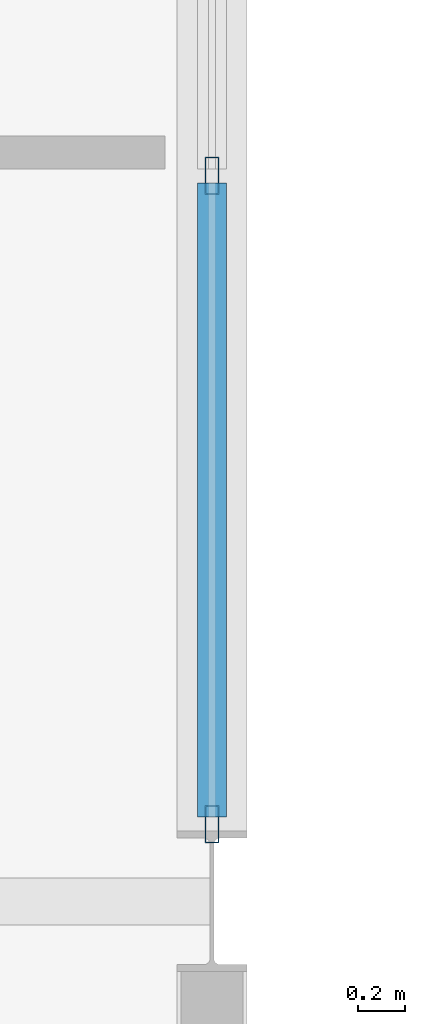
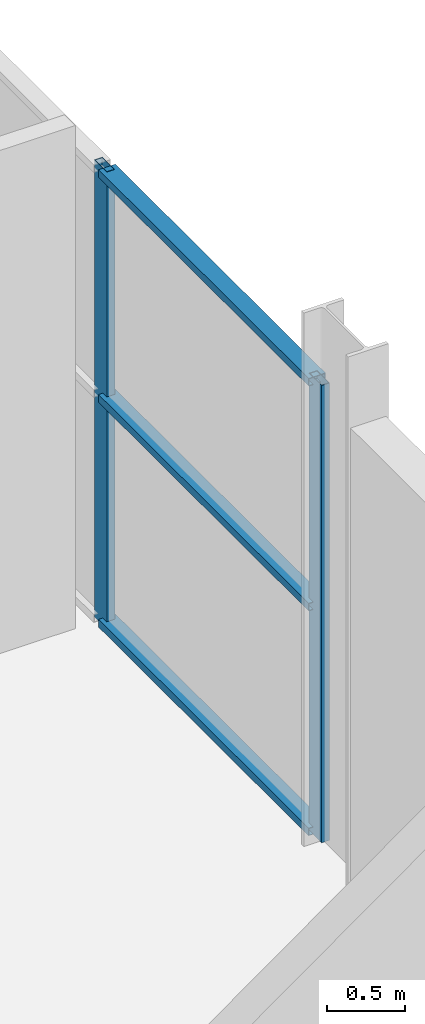
# One storey, part 38 of 59: 5 members, 1 element without a shape of its own.
"""IFC4 building model written with IfcOpenShell, lengths in metres."""

from ifc_helpers import new_model, si_unit, direction, frame, origin, origin_2d, place, context, subcontext, project, spatial, hollow_rectangle, extrude, material, layer, layer_set, material_profile, profile_set, type_object, element, aggregate, save


model = new_model("IFC4")

# Units and contexts
model_context = context("Model", 3, precision=1e-05, world=origin(), true_north=direction((0.0, 1.0)))
body_context = subcontext(model_context, "Body", "Model", "MODEL_VIEW")
ifc_project = project(units=[si_unit("LENGTHUNIT", "METRE"), si_unit("AREAUNIT", "SQUARE_METRE"), si_unit("VOLUMEUNIT", "CUBIC_METRE"), si_unit("PLANEANGLEUNIT", "RADIAN"), si_unit("MASSUNIT", "GRAM", prefix="KILO")], contexts=[model_context])

# Site, building, storey
site_placement = place(None, origin())
site = spatial("IfcSite", under=ifc_project, at=site_placement, CompositionType="ELEMENT")
building_placement = place(site_placement, origin())
building = spatial("IfcBuilding", under=site, at=building_placement, Name="Deido Ridge Mobility Hub", CompositionType="ELEMENT")
storey_placement = place(building_placement, frame((0.0, 0.0, 21.0)))
storey = spatial("IfcBuildingStorey", under=building, at=storey_placement, Name="L05", CompositionType="ELEMENT", Elevation=21.0)

# Curtain wall, members
ifc_material = material(Name="Anodised aluminium EN AW-6063 T6", Category="aluminium")
ifc_layer = layer(ifc_material, 0.195068359375, Name="Anodised aluminium EN AW-6063 T6")
ifc_layer_set = layer_set([ifc_layer], Name="Anodised aluminium EN AW-6063 T6")
curtain_wall_type = type_object("IfcCurtainWallType", Name="CW-UF-3", PredefinedType="USERDEFINED", material=ifc_layer_set)
curtain_wall_placement = place(storey_placement, origin())
curtain_wall = element("IfcCurtainWall", 1, at=curtain_wall_placement, inside=storey, type_object=curtain_wall_type, Name="Unitised curtain wall CW3", ObjectType="UNITISED FACADE", PredefinedType="USERDEFINED")
ifc_material_profile_1 = material_profile(ifc_material, hollow_rectangle(XDim=0.06005859375, YDim=0.159912109375, WallThickness=0.00390625, at=origin_2d()), Name="RHS 60x160x4")
ifc_profile_set_1 = profile_set([ifc_material_profile_1], Name="Anodised aluminium EN AW-6063 T6")
member_type_1 = type_object("IfcMemberType", Name="MEM-MUL-60X160", PredefinedType="MULLION", material=ifc_profile_set_1)
member_1_placement = place(storey_placement, frame((180.0, 27.330078125, 0.0), z_axis=(0.0, 0.0, 1.0), x_axis=(-1.0, 0.0, 0.0)))
member_1 = element("IfcMember", 2, at=member_1_placement, type_object=member_type_1, Name="CW3 mullion 1", PredefinedType="MULLION", context=body_context, shape_type="SweptSolid", body=[
    extrude(hollow_rectangle(XDim=0.06005859375, YDim=0.159912109375, WallThickness=0.00390625, at=origin_2d()), origin(), (0.0, 0.0, 1.0), 3.60009765625),
])
member_2_placement = place(storey_placement, frame((180.0, 30.10009765625, 0.0), z_axis=(0.0, 0.0, 1.0), x_axis=(-1.0, 0.0, 0.0)))
member_2 = element("IfcMember", 3, at=member_2_placement, type_object=member_type_1, Name="CW3 mullion 2", PredefinedType="MULLION", context=body_context, shape_type="SweptSolid", body=[
    extrude(hollow_rectangle(XDim=0.06005859375, YDim=0.159912109375, WallThickness=0.00390625, at=origin_2d()), origin(), (0.0, 0.0, 1.0), 3.60009765625),
])
ifc_material_profile_2 = material_profile(ifc_material, hollow_rectangle(XDim=0.125, YDim=0.06005859375, WallThickness=0.00390625, at=origin_2d()), Name="RHS 125x60x4")
ifc_profile_set_2 = profile_set([ifc_material_profile_2], Name="Anodised aluminium EN AW-6063 T6")
member_type_2 = type_object("IfcMemberType", Name="MEM-TRN-125X60", PredefinedType="USERDEFINED", material=ifc_profile_set_2)
member_3_placement = place(storey_placement, frame((180.0, 27.360107421875, 0.030029296875), z_axis=(0.0, 1.0, 0.0), x_axis=(-1.0, 0.0, 0.0)))
member_3 = element("IfcMember", 4, at=member_3_placement, type_object=member_type_2, Name="CW3 transom 1.1", ObjectType="TRANSOM", PredefinedType="USERDEFINED", context=body_context, shape_type="SweptSolid", body=[
    extrude(hollow_rectangle(XDim=0.125, YDim=0.06005859375, WallThickness=0.00390625, at=origin_2d()), origin(), (0.0, 0.0, 1.0), 2.7099609375),
])
member_4_placement = place(storey_placement, frame((180.0, 27.360107421875, 1.800048828125), z_axis=(0.0, 1.0, 0.0), x_axis=(-1.0, 0.0, 0.0)))
member_4 = element("IfcMember", 5, at=member_4_placement, type_object=member_type_2, Name="CW3 transom 1.2", ObjectType="TRANSOM", PredefinedType="USERDEFINED", context=body_context, shape_type="SweptSolid", body=[
    extrude(hollow_rectangle(XDim=0.125, YDim=0.06005859375, WallThickness=0.00390625, at=origin_2d()), origin(), (0.0, 0.0, 1.0), 2.7099609375),
])
member_5_placement = place(storey_placement, frame((180.0, 27.360107421875, 3.570068359375), z_axis=(0.0, 1.0, 0.0), x_axis=(-1.0, 0.0, 0.0)))
member_5 = element("IfcMember", 6, at=member_5_placement, type_object=member_type_2, Name="CW3 transom 1.3", ObjectType="TRANSOM", PredefinedType="USERDEFINED", context=body_context, shape_type="SweptSolid", body=[
    extrude(hollow_rectangle(XDim=0.125, YDim=0.06005859375, WallThickness=0.00390625, at=origin_2d()), origin(), (0.0, 0.0, 1.0), 2.7099609375),
])
aggregate(curtain_wall, [member_1, member_2, member_3, member_4, member_5])

save(model, "model.ifc")
